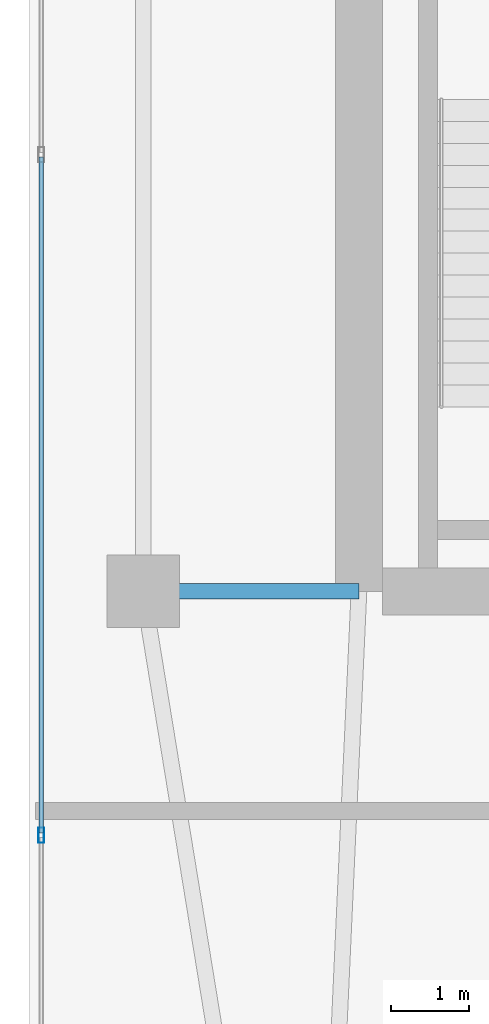
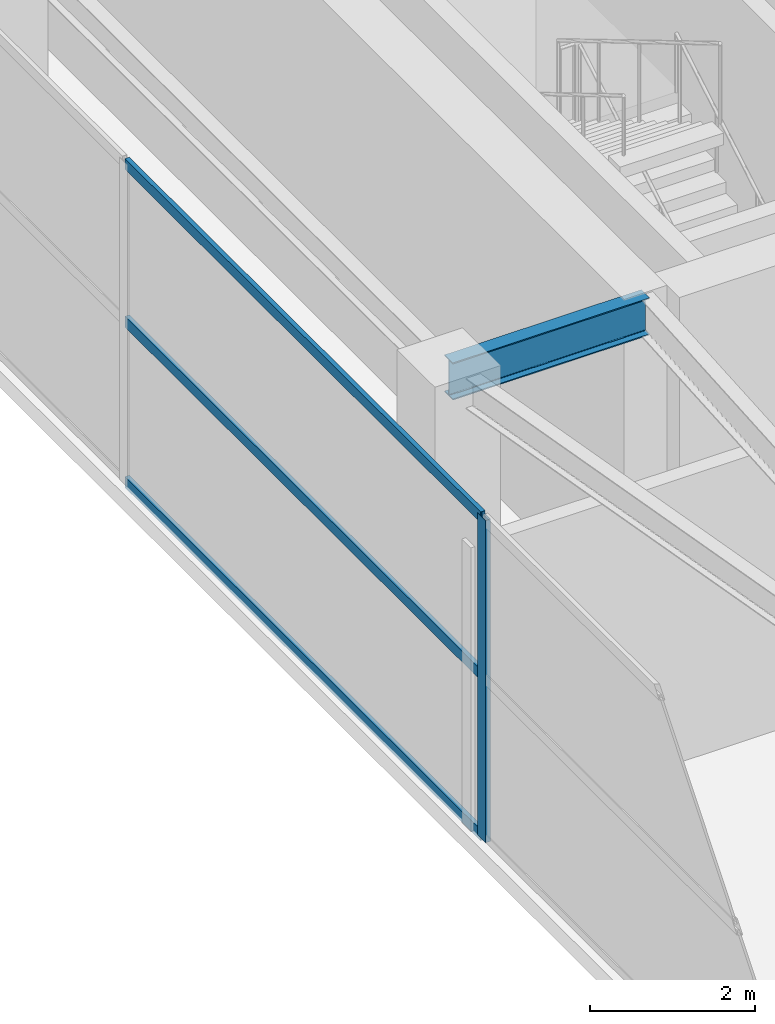
# One storey, part 6 of 21: 4 members, 1 beam, 1 element without a shape of its own.
"""IFC4 building model written with IfcOpenShell, lengths in metres."""

from ifc_helpers import new_model, si_unit, direction, frame, origin, origin_2d, place, context, subcontext, project, spatial, hollow_rectangle, i_section, extrude, material, layer, layer_set, material_profile, profile_set, type_object, element, aggregate, save


model = new_model("IFC4")

# Units and contexts
model_context = context("Model", 3, precision=1e-05, world=origin(), true_north=direction((0.0, 1.0)))
body_context = subcontext(model_context, "Body", "Model", "MODEL_VIEW")
ifc_project = project(units=[si_unit("LENGTHUNIT", "METRE"), si_unit("AREAUNIT", "SQUARE_METRE"), si_unit("VOLUMEUNIT", "CUBIC_METRE"), si_unit("PLANEANGLEUNIT", "RADIAN"), si_unit("MASSUNIT", "GRAM", prefix="KILO")], contexts=[model_context])

# Site, building, storey
site_placement = place(None, origin())
site = spatial("IfcSite", under=ifc_project, at=site_placement, CompositionType="ELEMENT")
building_placement = place(site_placement, origin())
building = spatial("IfcBuilding", under=site, at=building_placement, Name="Calvorn Quay Hotel", CompositionType="ELEMENT")
storey_placement = place(building_placement, frame((0.0, 0.0, 320.5)))
storey = spatial("IfcBuildingStorey", under=building, at=storey_placement, Name="L79", CompositionType="ELEMENT", Elevation=320.5)

# Beam
ifc_material_1 = material(Name="Steel Q355B", Category="steel")
ifc_material_profile_1 = material_profile(ifc_material_1, i_section(OverallWidth=0.199951171875, OverallDepth=0.550048828125, WebThickness=0.010009765625, FlangeThickness=0.01611328125, FilletRadius=0.01806640625, at=origin_2d()), Name="HN550x200x10x16")
ifc_profile_set_1 = profile_set([ifc_material_profile_1], Name="Steel Q355B")
beam_type = type_object("IfcBeamType", Name="BM-GIRD-UPP", PredefinedType="BEAM", material=ifc_profile_set_1)
beam_placement = place(storey_placement, frame((1.449951171875, 16.800048828125, 4.465087890625), z_axis=(1.0, 0.0, 0.0), x_axis=(0.0, 1.0, 0.0)))
element("IfcBeam", 1, at=beam_placement, inside=storey, type_object=beam_type, Name="Beam BG-L79-W1", PredefinedType="BEAM", context=body_context, shape_type="SweptSolid", body=[
    extrude(i_section(OverallWidth=0.199951171875, OverallDepth=0.550048828125, WebThickness=0.010009765625, FlangeThickness=0.01611328125, FilletRadius=0.01806640625, at=origin_2d()), origin(), (0.0, 0.0, 1.0), 2.75),
])

# Curtain wall, members
ifc_material_2 = material(Name="Pale Anodised Aluminium and Laminated Glass", Category="aluminium")
ifc_layer = layer(ifc_material_2, 0.219970703125)
ifc_layer_set = layer_set([ifc_layer], Name="CW-SYS-CRN")
curtain_wall_type = type_object("IfcCurtainWallType", Name="CW-SYS-CRN", PredefinedType="NOTDEFINED", material=ifc_layer_set)
curtain_wall_placement = place(storey_placement, origin())
curtain_wall = element("IfcCurtainWall", 2, at=curtain_wall_placement, inside=storey, type_object=curtain_wall_type, Name="Crown Curtain Wall L79-C5", PredefinedType="NOTDEFINED")
ifc_material_3 = material(Name="Pale Anodised Aluminium 6063-T6", Category="aluminium")
ifc_material_profile_2 = material_profile(ifc_material_3, hollow_rectangle(XDim=0.072021484375, YDim=0.195068359375, WallThickness=0.00390625, at=origin_2d()), Name="ALU-M195x72x4")
ifc_profile_set_2 = profile_set([ifc_material_profile_2], Name="Pale Anodised Aluminium 6063-T6")
member_type_1 = type_object("IfcMemberType", Name="CW-SYS-CRN-MUL", PredefinedType="MULLION", material=ifc_profile_set_2)
member_1_placement = place(storey_placement, frame((0.14990234375, 13.69189453125, 0.0), z_axis=(0.0, 0.0, 1.0), x_axis=(1.0, 0.0, 0.0)))
member_1 = element("IfcMember", 3, at=member_1_placement, type_object=member_type_1, Name="CW-L79-C5 mullion 5", PredefinedType="MULLION", context=body_context, shape_type="SweptSolid", body=[
    extrude(hollow_rectangle(XDim=0.072021484375, YDim=0.195068359375, WallThickness=0.00390625, at=origin_2d()), origin(), (0.0, 0.0, 1.0), 4.760009765625),
])
ifc_material_4 = material(Name="Pale Anodised Aluminium 6063-T6", Category="aluminium")
ifc_material_profile_3 = material_profile(ifc_material_4, hollow_rectangle(XDim=0.06201171875, YDim=0.159912109375, WallThickness=0.00341796875, at=origin_2d()), Name="ALU-T160x62x3.5")
ifc_profile_set_3 = profile_set([ifc_material_profile_3], Name="Pale Anodised Aluminium 6063-T6")
member_type_2 = type_object("IfcMemberType", Name="CW-SYS-CRN-TRN", PredefinedType="USERDEFINED", material=ifc_profile_set_3)
member_2_placement = place(storey_placement, frame((0.14990234375, 22.333984375, 0.030029296875), z_axis=(0.0, -1.0, 0.0), x_axis=(1.0, 0.0, 0.0)))
member_2 = element("IfcMember", 4, at=member_2_placement, type_object=member_type_2, Name="CW-L79-C5 transom 4.1", ObjectType="TRANSOM", PredefinedType="USERDEFINED", context=body_context, shape_type="SweptSolid", body=[
    extrude(hollow_rectangle(XDim=0.06201171875, YDim=0.159912109375, WallThickness=0.00341796875, at=origin_2d()), origin(), (0.0, 0.0, 1.0), 8.612060546875),
])
member_3_placement = place(storey_placement, frame((0.14990234375, 22.333984375, 2.39990234375), z_axis=(0.0, -1.0, 0.0), x_axis=(1.0, 0.0, 0.0)))
member_3 = element("IfcMember", 5, at=member_3_placement, type_object=member_type_2, Name="CW-L79-C5 transom 4.2", ObjectType="TRANSOM", PredefinedType="USERDEFINED", context=body_context, shape_type="SweptSolid", body=[
    extrude(hollow_rectangle(XDim=0.06201171875, YDim=0.159912109375, WallThickness=0.00341796875, at=origin_2d()), origin(), (0.0, 0.0, 1.0), 8.612060546875),
])
member_4_placement = place(storey_placement, frame((0.14990234375, 22.333984375, 4.72998046875), z_axis=(0.0, -1.0, 0.0), x_axis=(1.0, 0.0, 0.0)))
member_4 = element("IfcMember", 6, at=member_4_placement, type_object=member_type_2, Name="CW-L79-C5 transom 4.3", ObjectType="TRANSOM", PredefinedType="USERDEFINED", context=body_context, shape_type="SweptSolid", body=[
    extrude(hollow_rectangle(XDim=0.06201171875, YDim=0.159912109375, WallThickness=0.00341796875, at=origin_2d()), origin(), (0.0, 0.0, 1.0), 8.612060546875),
])
aggregate(curtain_wall, [member_1, member_2, member_3, member_4])

save(model, "model.ifc")
